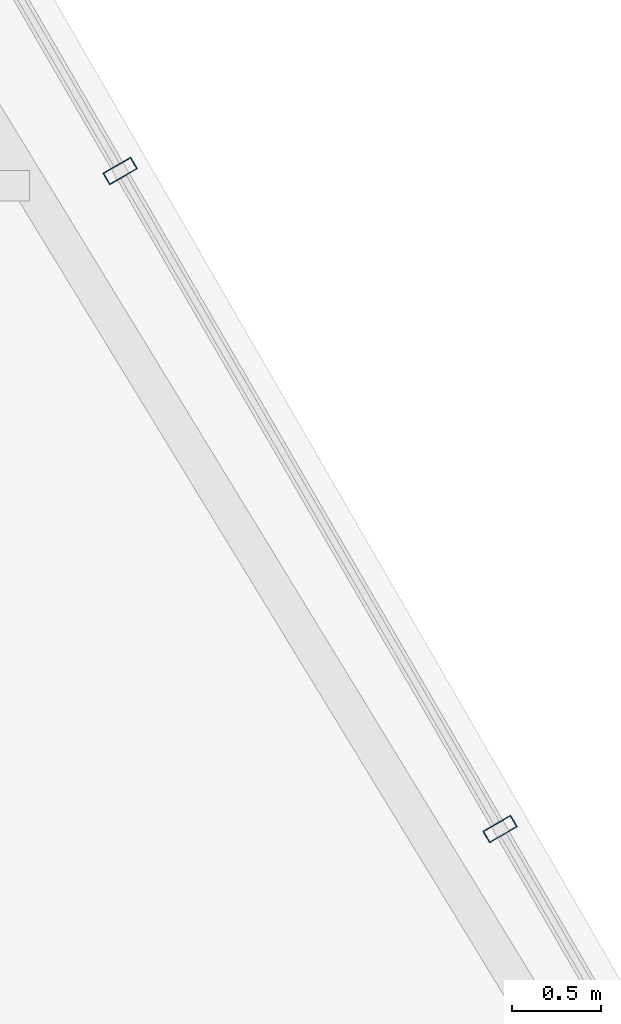
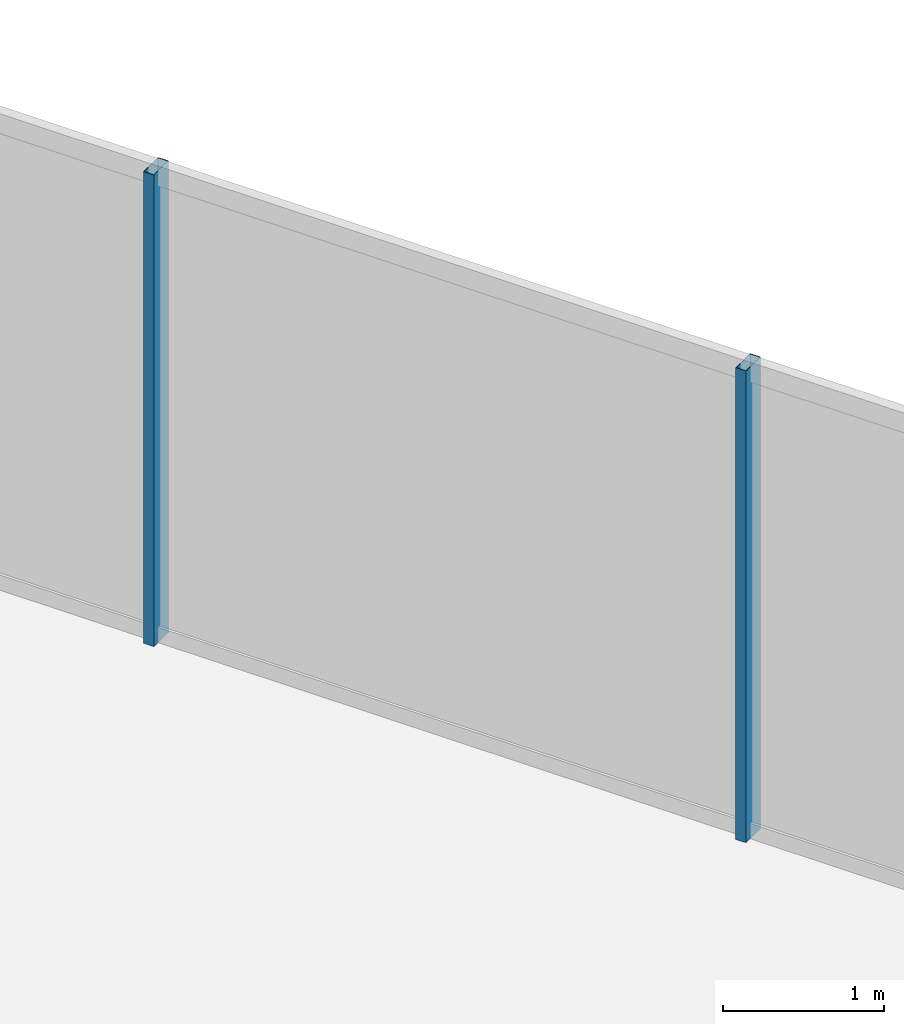
# One storey, part 19 of 34: 2 members, 1 element without a shape of its own.
"""IFC4 building model written with IfcOpenShell, lengths in metres."""

from ifc_helpers import new_model, si_unit, direction, frame, origin, origin_2d, place, context, subcontext, project, spatial, hollow_rectangle, extrude, material, layer, layer_set, material_profile, profile_set, type_object, element, aggregate, save


model = new_model("IFC4")

# Units and contexts
model_context = context("Model", 3, precision=1e-05, world=origin(), true_north=direction((0.0, 1.0)))
body_context = subcontext(model_context, "Body", "Model", "MODEL_VIEW")
ifc_project = project(units=[si_unit("LENGTHUNIT", "METRE"), si_unit("AREAUNIT", "SQUARE_METRE"), si_unit("VOLUMEUNIT", "CUBIC_METRE"), si_unit("PLANEANGLEUNIT", "RADIAN"), si_unit("MASSUNIT", "GRAM", prefix="KILO")], contexts=[model_context])

# Site, building, storey
site_placement = place(None, origin())
site = spatial("IfcSite", under=ifc_project, at=site_placement, CompositionType="ELEMENT")
building_placement = place(site_placement, origin())
building = spatial("IfcBuilding", under=site, at=building_placement, Name="Ndaravel Arena Tower", CompositionType="ELEMENT")
storey_placement = place(building_placement, frame((0.0, 0.0, 195.39990234375)))
storey = spatial("IfcBuildingStorey", under=building, at=storey_placement, Name="L47", CompositionType="ELEMENT", Elevation=195.39990234375)

# Curtain wall, members
ifc_material_1 = material(Name="Aluminium", Category="aluminium")
ifc_layer = layer(ifc_material_1, 0.179931640625)
ifc_layer_set = layer_set([ifc_layer], Name="Aluminium")
curtain_wall_type = type_object("IfcCurtainWallType", Name="CW-SYS-03", PredefinedType="NOTDEFINED", material=ifc_layer_set)
curtain_wall_placement = place(storey_placement, origin())
curtain_wall = element("IfcCurtainWall", 1, at=curtain_wall_placement, inside=storey, type_object=curtain_wall_type, Name="L47 Faceted Crystal Curtain Wall CW-L47-E03", PredefinedType="NOTDEFINED")
ifc_material_2 = material(Name="Aluminium", Category="aluminium")
ifc_material_profile = material_profile(ifc_material_2, hollow_rectangle(XDim=0.074951171875, YDim=0.179931640625, WallThickness=0.00390625, at=origin_2d()), Name="CW MULLION 75x180x4")
ifc_profile_set = profile_set([ifc_material_profile], Name="Aluminium")
member_type = type_object("IfcMemberType", Name="MEM-CW-MUL180", PredefinedType="MULLION", material=ifc_profile_set)
member_1_placement = place(storey_placement, frame((55.024658203125, 31.400634765625, 0.0), z_axis=(0.0, 0.0, 1.0), x_axis=(-0.5, 0.866025403784, 0.0)))
member_1 = element("IfcMember", 2, at=member_1_placement, type_object=member_type, Name="CW-L47-E03 Mullion 05", PredefinedType="MULLION", context=body_context, shape_type="SweptSolid", body=[
    extrude(hollow_rectangle(XDim=0.074951171875, YDim=0.179931640625, WallThickness=0.00390625, at=origin_2d()), origin(), (0.0, 0.0, 1.0), 3.580078125),
])
member_2_placement = place(storey_placement, frame((52.899169921875, 35.08203125, 0.0), z_axis=(0.0, 0.0, 1.0), x_axis=(-0.5, 0.866025403784, 0.0)))
member_2 = element("IfcMember", 3, at=member_2_placement, type_object=member_type, Name="CW-L47-E03 Mullion 06", PredefinedType="MULLION", context=body_context, shape_type="SweptSolid", body=[
    extrude(hollow_rectangle(XDim=0.074951171875, YDim=0.179931640625, WallThickness=0.00390625, at=origin_2d()), origin(), (0.0, 0.0, 1.0), 3.580078125),
])
aggregate(curtain_wall, [member_1, member_2])

save(model, "model.ifc")
